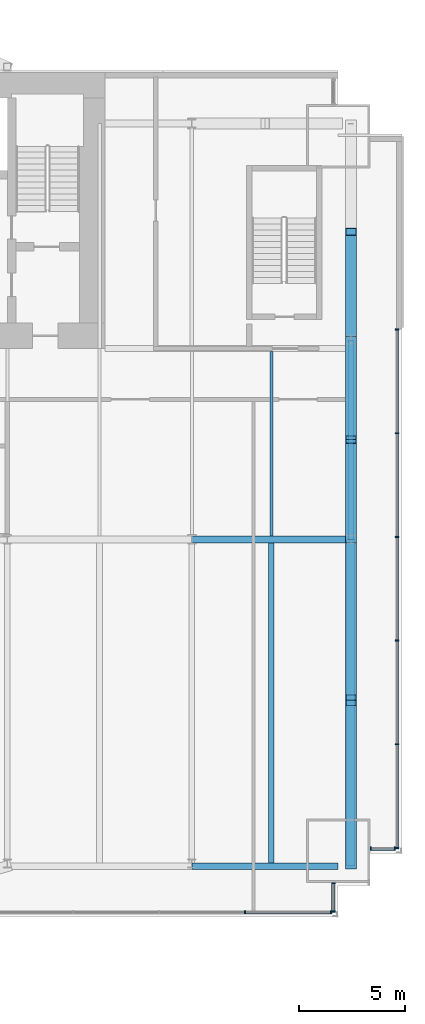
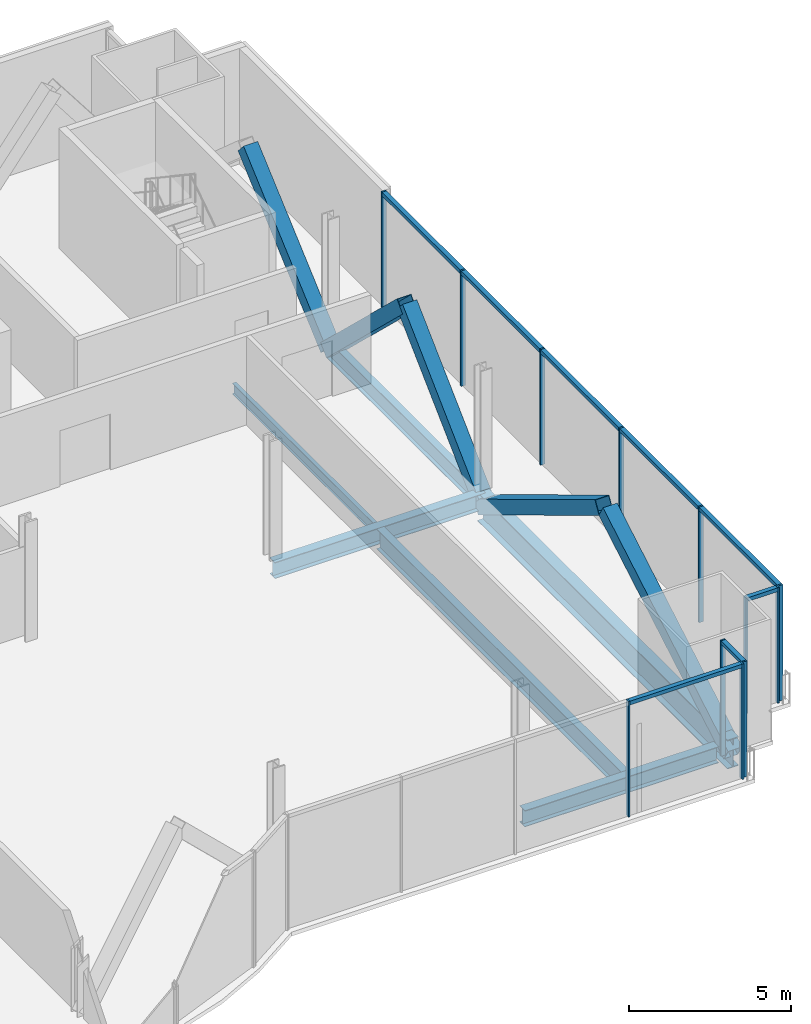
# One storey, part 12 of 21: 25 members, 6 beams, 4 elements without a shape of their own.
"""IFC4 building model written with IfcOpenShell, lengths in metres."""

from ifc_helpers import new_model, si_unit, direction, frame, origin, origin_2d, place, context, subcontext, project, spatial, rectangle, hollow_rectangle, i_section, extrude, material, material_profile, profile_set, type_object, element, aggregate, save


model = new_model("IFC4")

# Units and contexts
model_context = context("Model", 3, precision=1e-05, world=origin(), true_north=direction((0.0, 1.0)))
body_context = subcontext(model_context, "Body", "Model", "MODEL_VIEW")
ifc_project = project(units=[si_unit("LENGTHUNIT", "METRE"), si_unit("AREAUNIT", "SQUARE_METRE"), si_unit("VOLUMEUNIT", "CUBIC_METRE"), si_unit("PLANEANGLEUNIT", "RADIAN"), si_unit("MASSUNIT", "GRAM", prefix="KILO")], contexts=[model_context])

# Site, building, storey
site_placement = place(None, origin())
site = spatial("IfcSite", under=ifc_project, at=site_placement, CompositionType="ELEMENT")
building_placement = place(site_placement, origin())
building = spatial("IfcBuilding", under=site, at=building_placement, Name="Bicima Exchange Tower", CompositionType="ELEMENT")
storey_placement = place(building_placement, frame((0.0, 0.0, 75.5)))
storey = spatial("IfcBuildingStorey", under=building, at=storey_placement, Name="L15", CompositionType="ELEMENT", Elevation=75.5)

# Curtain wall, members
ifc_material_1 = material(Name="Anodised bronze aluminium", Category="aluminium")
curtain_wall_type_1 = type_object("IfcCurtainWallType", Name="End face glass wall", PredefinedType="NOTDEFINED", material=ifc_material_1)
curtain_wall_1_placement = place(storey_placement, origin())
curtain_wall_1 = element("IfcCurtainWall", 1, at=curtain_wall_1_placement, inside=storey, type_object=curtain_wall_type_1, Name="End face glass wall L15 run 19", PredefinedType="NOTDEFINED")
ifc_material_profile_1 = material_profile(ifc_material_1, rectangle(XDim=0.159912109375, YDim=0.06005859375, at=origin_2d()))
ifc_profile_set_1 = profile_set([ifc_material_profile_1], Name="Anodised bronze aluminium")
member_type_1 = type_object("IfcMemberType", Name="End face glass wall mullion 60 x 160", PredefinedType="MULLION", material=ifc_profile_set_1)
member_1_placement = place(storey_placement, frame((35.77001953125, -36.5439453125, 0.0), z_axis=(0.0, 0.0, 1.0), x_axis=(-1.0, 0.0, 0.0)))
member_1 = element("IfcMember", 2, at=member_1_placement, type_object=member_type_1, Name="End face glass wall mullion 1", PredefinedType="MULLION", context=body_context, shape_type="SweptSolid", body=[
    extrude(rectangle(XDim=0.159912109375, YDim=0.06005859375, at=origin_2d()), origin(), (0.0, 0.0, 1.0), 4.35009765625),
])
member_2_placement = place(storey_placement, frame((35.77001953125, -31.6572265625, 0.0), z_axis=(0.0, 0.0, 1.0), x_axis=(-1.0, 0.0, 0.0)))
member_2 = element("IfcMember", 3, at=member_2_placement, type_object=member_type_1, Name="End face glass wall mullion 2", PredefinedType="MULLION", context=body_context, shape_type="SweptSolid", body=[
    extrude(rectangle(XDim=0.159912109375, YDim=0.06005859375, at=origin_2d()), origin(), (0.0, 0.0, 1.0), 4.35009765625),
])
member_3_placement = place(storey_placement, frame((35.77001953125, -26.7705078125, 0.0), z_axis=(0.0, 0.0, 1.0), x_axis=(-1.0, 0.0, 0.0)))
member_3 = element("IfcMember", 4, at=member_3_placement, type_object=member_type_1, Name="End face glass wall mullion 3", PredefinedType="MULLION", context=body_context, shape_type="SweptSolid", body=[
    extrude(rectangle(XDim=0.159912109375, YDim=0.06005859375, at=origin_2d()), origin(), (0.0, 0.0, 1.0), 4.35009765625),
])
member_4_placement = place(storey_placement, frame((35.77001953125, -21.883544921875, 0.0), z_axis=(0.0, 0.0, 1.0), x_axis=(-1.0, 0.0, 0.0)))
member_4 = element("IfcMember", 5, at=member_4_placement, type_object=member_type_1, Name="End face glass wall mullion 4", PredefinedType="MULLION", context=body_context, shape_type="SweptSolid", body=[
    extrude(rectangle(XDim=0.159912109375, YDim=0.06005859375, at=origin_2d()), origin(), (0.0, 0.0, 1.0), 4.35009765625),
])
member_5_placement = place(storey_placement, frame((35.77001953125, -16.996826171875, 0.0), z_axis=(0.0, 0.0, 1.0), x_axis=(-1.0, 0.0, 0.0)))
member_5 = element("IfcMember", 6, at=member_5_placement, type_object=member_type_1, Name="End face glass wall mullion 5", PredefinedType="MULLION", context=body_context, shape_type="SweptSolid", body=[
    extrude(rectangle(XDim=0.159912109375, YDim=0.06005859375, at=origin_2d()), origin(), (0.0, 0.0, 1.0), 4.35009765625),
])
member_6_placement = place(storey_placement, frame((35.77001953125, -12.110107421875, 0.0), z_axis=(0.0, 0.0, 1.0), x_axis=(-1.0, 0.0, 0.0)))
member_6 = element("IfcMember", 7, at=member_6_placement, type_object=member_type_1, Name="End face glass wall mullion 6", PredefinedType="MULLION", context=body_context, shape_type="SweptSolid", body=[
    extrude(rectangle(XDim=0.159912109375, YDim=0.06005859375, at=origin_2d()), origin(), (0.0, 0.0, 1.0), 4.35009765625),
])
ifc_material_profile_2 = material_profile(ifc_material_1, rectangle(XDim=0.159912109375, YDim=0.139892578125, at=origin_2d()))
ifc_profile_set_2 = profile_set([ifc_material_profile_2], Name="Anodised bronze aluminium")
member_type_2 = type_object("IfcMemberType", Name="End face glass wall transom 140 x 160", PredefinedType="USERDEFINED", material=ifc_profile_set_2)
member_7_placement = place(storey_placement, frame((35.77001953125, -36.513916015625, 4.280029296875), z_axis=(0.0, 1.0, 0.0), x_axis=(-1.0, 0.0, 0.0)))
member_7 = element("IfcMember", 8, at=member_7_placement, type_object=member_type_2, Name="End face glass wall transom 1.1", ObjectType="TRANSOM", PredefinedType="USERDEFINED", context=body_context, shape_type="SweptSolid", body=[
    extrude(rectangle(XDim=0.159912109375, YDim=0.139892578125, at=origin_2d()), origin(), (0.0, 0.0, 1.0), 4.82666015625),
])
member_8_placement = place(storey_placement, frame((35.77001953125, -31.627197265625, 4.280029296875), z_axis=(0.0, 1.0, 0.0), x_axis=(-1.0, 0.0, 0.0)))
member_8 = element("IfcMember", 9, at=member_8_placement, type_object=member_type_2, Name="End face glass wall transom 2.1", ObjectType="TRANSOM", PredefinedType="USERDEFINED", context=body_context, shape_type="SweptSolid", body=[
    extrude(rectangle(XDim=0.159912109375, YDim=0.139892578125, at=origin_2d()), origin(), (0.0, 0.0, 1.0), 4.826904296875),
])
member_9_placement = place(storey_placement, frame((35.77001953125, -26.740478515625, 4.280029296875), z_axis=(0.0, 1.0, 0.0), x_axis=(-1.0, 0.0, 0.0)))
member_9 = element("IfcMember", 10, at=member_9_placement, type_object=member_type_2, Name="End face glass wall transom 3.1", ObjectType="TRANSOM", PredefinedType="USERDEFINED", context=body_context, shape_type="SweptSolid", body=[
    extrude(rectangle(XDim=0.159912109375, YDim=0.139892578125, at=origin_2d()), origin(), (0.0, 0.0, 1.0), 4.826904296875),
])
member_10_placement = place(storey_placement, frame((35.77001953125, -21.853515625, 4.280029296875), z_axis=(0.0, 1.0, 0.0), x_axis=(-1.0, 0.0, 0.0)))
member_10 = element("IfcMember", 11, at=member_10_placement, type_object=member_type_2, Name="End face glass wall transom 4.1", ObjectType="TRANSOM", PredefinedType="USERDEFINED", context=body_context, shape_type="SweptSolid", body=[
    extrude(rectangle(XDim=0.159912109375, YDim=0.139892578125, at=origin_2d()), origin(), (0.0, 0.0, 1.0), 4.82666015625),
])
member_11_placement = place(storey_placement, frame((35.77001953125, -16.966796875, 4.280029296875), z_axis=(0.0, 1.0, 0.0), x_axis=(-1.0, 0.0, 0.0)))
member_11 = element("IfcMember", 12, at=member_11_placement, type_object=member_type_2, Name="End face glass wall transom 5.1", ObjectType="TRANSOM", PredefinedType="USERDEFINED", context=body_context, shape_type="SweptSolid", body=[
    extrude(rectangle(XDim=0.159912109375, YDim=0.139892578125, at=origin_2d()), origin(), (0.0, 0.0, 1.0), 4.826904296875),
])
aggregate(curtain_wall_1, [member_1, member_2, member_3, member_4, member_5, member_6, member_7, member_8, member_9, member_10, member_11])

# Beams
ifc_material_2 = material(Name="Steel ASTM A992 Gr 50", Category="steel")
ifc_material_profile_3 = material_profile(ifc_material_2, i_section(OverallWidth=0.256591796875, OverallDepth=0.693359375, WebThickness=0.014404296875, FlangeThickness=0.023681640625, at=origin_2d()))
ifc_profile_set_3 = profile_set([ifc_material_profile_3], Name="Steel ASTM A992 Gr 50")
beam_type_1 = type_object("IfcBeamType", Name="End girder W27x114", PredefinedType="BEAM", material=ifc_profile_set_3)
beam_1_placement = place(storey_placement, frame((33.60009765625, -12.60009765625, -0.49658203125), z_axis=(0.0, -1.0, 0.0), x_axis=(1.0, 0.0, 0.0)))
element("IfcBeam", 13, at=beam_1_placement, inside=storey, type_object=beam_type_1, Name="End girder", PredefinedType="BEAM", context=body_context, shape_type="SweptSolid", body=[
    extrude(i_section(OverallWidth=0.256591796875, OverallDepth=0.693359375, WebThickness=0.014404296875, FlangeThickness=0.023681640625, at=origin_2d()), origin(), (0.0, 0.0, 1.0), 9.39990234375),
])
ifc_material_profile_4 = material_profile(ifc_material_2, i_section(OverallWidth=0.4013671875, OverallDepth=1.089599609375, WebThickness=0.01806640625, FlangeThickness=0.031005859375, at=origin_2d()))
ifc_profile_set_4 = profile_set([ifc_material_profile_4], Name="Steel ASTM A992 Gr 50")
beam_type_2 = type_object("IfcBeamType", Name="End girder W44x230", PredefinedType="BEAM", material=ifc_profile_set_4)
beam_2_placement = place(storey_placement, frame((33.60009765625, -22.0, -0.69482421875), z_axis=(0.0, -1.0, 0.0), x_axis=(1.0, 0.0, 0.0)))
element("IfcBeam", 14, at=beam_2_placement, inside=storey, type_object=beam_type_2, Name="End girder", PredefinedType="BEAM", context=body_context, shape_type="SweptSolid", body=[
    extrude(i_section(OverallWidth=0.4013671875, OverallDepth=1.089599609375, WebThickness=0.01806640625, FlangeThickness=0.031005859375, at=origin_2d()), origin(), (0.0, 0.0, 1.0), 15.404052734375),
])
ifc_material_profile_5 = material_profile(ifc_material_2, i_section(OverallWidth=0.140380859375, OverallDepth=0.40380859375, WebThickness=0.007080078125, FlangeThickness=0.01123046875, at=origin_2d()))
ifc_profile_set_5 = profile_set([ifc_material_profile_5], Name="Steel ASTM A992 Gr 50")
beam_type_3 = type_object("IfcBeamType", Name="Floor beam W16x31", PredefinedType="JOIST", material=ifc_profile_set_5)
beam_3_placement = place(storey_placement, frame((29.85009765625, -13.15234375, -0.351806640625), z_axis=(0.0, -1.0, 0.0), x_axis=(1.0, 0.0, 0.0)))
element("IfcBeam", 15, at=beam_3_placement, inside=storey, type_object=beam_type_3, Name="Floor beam", PredefinedType="JOIST", context=body_context, shape_type="SweptSolid", body=[
    extrude(i_section(OverallWidth=0.140380859375, OverallDepth=0.40380859375, WebThickness=0.007080078125, FlangeThickness=0.01123046875, at=origin_2d()), origin(), (0.0, 0.0, 1.0), 8.68505859375),
])
ifc_material_profile_6 = material_profile(ifc_material_2, i_section(OverallWidth=0.2666015625, OverallDepth=0.75439453125, WebThickness=0.01318359375, FlangeThickness=0.01708984375, at=origin_2d()))
ifc_profile_set_6 = profile_set([ifc_material_profile_6], Name="Steel ASTM A992 Gr 50")
beam_type_4 = type_object("IfcBeamType", Name="Floor beam W30x99", PredefinedType="JOIST", material=ifc_profile_set_6)
beam_4_placement = place(storey_placement, frame((29.85009765625, -22.16259765625, -0.527099609375), z_axis=(0.0, -1.0, 0.0), x_axis=(1.0, 0.0, 0.0)))
element("IfcBeam", 16, at=beam_4_placement, inside=storey, type_object=beam_type_4, Name="Floor beam", PredefinedType="JOIST", context=body_context, shape_type="SweptSolid", body=[
    extrude(i_section(OverallWidth=0.2666015625, OverallDepth=0.75439453125, WebThickness=0.01318359375, FlangeThickness=0.01708984375, at=origin_2d()), origin(), (0.0, 0.0, 1.0), 15.078857421875),
])
ifc_material_profile_7 = material_profile(ifc_material_2, i_section(OverallWidth=0.3251953125, OverallDepth=0.612060546875, WebThickness=0.0126953125, FlangeThickness=0.01904296875, at=origin_2d()))
ifc_profile_set_7 = profile_set([ifc_material_profile_7], Name="Steel ASTM A992 Gr 50")
beam_type_5 = type_object("IfcBeamType", Name="Front girder W24x104", PredefinedType="BEAM", material=ifc_profile_set_7)
beam_5_placement = place(storey_placement, frame((26.10009765625, -37.404052734375, -0.4560546875), z_axis=(1.0, 0.0, 0.0), x_axis=(0.0, 1.0, 0.0)))
element("IfcBeam", 17, at=beam_5_placement, inside=storey, type_object=beam_type_5, Name="Front girder", PredefinedType="BEAM", context=body_context, shape_type="SweptSolid", body=[
    extrude(i_section(OverallWidth=0.3251953125, OverallDepth=0.612060546875, WebThickness=0.0126953125, FlangeThickness=0.01904296875, at=origin_2d()), origin(), (0.0, 0.0, 1.0), 6.89990234375),
])

# Curtain wall, members
curtain_wall_type_2 = type_object("IfcCurtainWallType", Name="Front glass wall", PredefinedType="NOTDEFINED", material=ifc_material_1)
curtain_wall_2_placement = place(storey_placement, origin())
curtain_wall_2 = element("IfcCurtainWall", 18, at=curtain_wall_2_placement, inside=storey, type_object=curtain_wall_type_2, Name="Front glass wall L15 run 16", PredefinedType="NOTDEFINED")
member_type_3 = type_object("IfcMemberType", Name="Front glass wall mullion 60 x 160", PredefinedType="MULLION", material=ifc_profile_set_1)
member_12_placement = place(storey_placement, frame((28.610595703125, -39.573974609375, 0.0), z_axis=(0.0, 0.0, 1.0), x_axis=(0.0, 1.0, 0.0)))
member_12 = element("IfcMember", 19, at=member_12_placement, type_object=member_type_3, Name="Front glass wall mullion 4", PredefinedType="MULLION", context=body_context, shape_type="SweptSolid", body=[
    extrude(rectangle(XDim=0.159912109375, YDim=0.06005859375, at=origin_2d()), origin(), (0.0, 0.0, 1.0), 4.35009765625),
])
member_13_placement = place(storey_placement, frame((32.659912109375, -39.573974609375, 0.0), z_axis=(0.0, 0.0, 1.0), x_axis=(0.0, 1.0, 0.0)))
member_13 = element("IfcMember", 20, at=member_13_placement, type_object=member_type_3, Name="Front glass wall mullion 5", PredefinedType="MULLION", context=body_context, shape_type="SweptSolid", body=[
    extrude(rectangle(XDim=0.159912109375, YDim=0.06005859375, at=origin_2d()), origin(), (0.0, 0.0, 1.0), 4.35009765625),
])

curtain_wall_3_placement = place(storey_placement, origin())
curtain_wall_3 = element("IfcCurtainWall", 21, at=curtain_wall_3_placement, inside=storey, type_object=curtain_wall_type_2, Name="Front glass wall L15 run 17", PredefinedType="NOTDEFINED")
member_14_placement = place(storey_placement, frame((32.77001953125, -39.5439453125, 0.0), z_axis=(0.0, 0.0, 1.0), x_axis=(-1.0, 0.0, 0.0)))
member_14 = element("IfcMember", 22, at=member_14_placement, type_object=member_type_3, Name="Front glass wall mullion 1", PredefinedType="MULLION", context=body_context, shape_type="SweptSolid", body=[
    extrude(rectangle(XDim=0.159912109375, YDim=0.06005859375, at=origin_2d()), origin(), (0.0, 0.0, 1.0), 4.35009765625),
])
member_15_placement = place(storey_placement, frame((32.77001953125, -38.2119140625, 0.0), z_axis=(0.0, 0.0, 1.0), x_axis=(-1.0, 0.0, 0.0)))
member_15 = element("IfcMember", 23, at=member_15_placement, type_object=member_type_3, Name="Front glass wall mullion 2", PredefinedType="MULLION", context=body_context, shape_type="SweptSolid", body=[
    extrude(rectangle(XDim=0.159912109375, YDim=0.06005859375, at=origin_2d()), origin(), (0.0, 0.0, 1.0), 4.35009765625),
])

curtain_wall_4_placement = place(storey_placement, origin())
curtain_wall_4 = element("IfcCurtainWall", 24, at=curtain_wall_4_placement, inside=storey, type_object=curtain_wall_type_2, Name="Front glass wall L15 run 18", PredefinedType="NOTDEFINED")
member_16_placement = place(storey_placement, frame((34.530029296875, -36.573974609375, 0.0), z_axis=(0.0, 0.0, 1.0), x_axis=(0.0, 1.0, 0.0)))
member_16 = element("IfcMember", 25, at=member_16_placement, type_object=member_type_3, Name="Front glass wall mullion 1", PredefinedType="MULLION", context=body_context, shape_type="SweptSolid", body=[
    extrude(rectangle(XDim=0.159912109375, YDim=0.06005859375, at=origin_2d()), origin(), (0.0, 0.0, 1.0), 4.35009765625),
])
member_17_placement = place(storey_placement, frame((35.659912109375, -36.573974609375, 0.0), z_axis=(0.0, 0.0, 1.0), x_axis=(0.0, 1.0, 0.0)))
member_17 = element("IfcMember", 26, at=member_17_placement, type_object=member_type_3, Name="Front glass wall mullion 2", PredefinedType="MULLION", context=body_context, shape_type="SweptSolid", body=[
    extrude(rectangle(XDim=0.159912109375, YDim=0.06005859375, at=origin_2d()), origin(), (0.0, 0.0, 1.0), 4.35009765625),
])

# Member
member_type_4 = type_object("IfcMemberType", Name="Front glass wall transom 140 x 160", PredefinedType="USERDEFINED", material=ifc_profile_set_2)
member_18_placement = place(storey_placement, frame((28.640380859375, -39.573974609375, 4.280029296875), z_axis=(1.0, 0.0, 0.0), x_axis=(0.0, 1.0, 0.0)))
member_18 = element("IfcMember", 27, at=member_18_placement, type_object=member_type_4, Name="Front glass wall transom 4.1", ObjectType="TRANSOM", PredefinedType="USERDEFINED", context=body_context, shape_type="SweptSolid", body=[
    extrude(rectangle(XDim=0.159912109375, YDim=0.139892578125, at=origin_2d()), origin(), (0.0, 0.0, 1.0), 3.989501953125),
])

aggregate(curtain_wall_2, [member_12, member_13, member_18])

member_19_placement = place(storey_placement, frame((32.77001953125, -39.513916015625, 4.280029296875), z_axis=(0.0, 1.0, 0.0), x_axis=(-1.0, 0.0, 0.0)))
member_19 = element("IfcMember", 28, at=member_19_placement, type_object=member_type_4, Name="Front glass wall transom 1.1", ObjectType="TRANSOM", PredefinedType="USERDEFINED", context=body_context, shape_type="SweptSolid", body=[
    extrude(rectangle(XDim=0.159912109375, YDim=0.139892578125, at=origin_2d()), origin(), (0.0, 0.0, 1.0), 1.27197265625),
])

aggregate(curtain_wall_3, [member_14, member_15, member_19])

member_20_placement = place(storey_placement, frame((34.56005859375, -36.573974609375, 4.280029296875), z_axis=(1.0, 0.0, 0.0), x_axis=(0.0, 1.0, 0.0)))
member_20 = element("IfcMember", 29, at=member_20_placement, type_object=member_type_4, Name="Front glass wall transom 1.1", ObjectType="TRANSOM", PredefinedType="USERDEFINED", context=body_context, shape_type="SweptSolid", body=[
    extrude(rectangle(XDim=0.159912109375, YDim=0.139892578125, at=origin_2d()), origin(), (0.0, 0.0, 1.0), 1.06982421875),
])

aggregate(curtain_wall_4, [member_16, member_17, member_20])

# Members
ifc_material_3 = material(Name="Steel ASTM A572 Gr 50", Category="steel")
ifc_material_profile_8 = material_profile(ifc_material_3, hollow_rectangle(XDim=0.508056640625, YDim=0.508056640625, WallThickness=0.017822265625, at=origin_2d()))
ifc_profile_set_8 = profile_set([ifc_material_profile_8], Name="Steel ASTM A572 Gr 50")
member_type_5 = type_object("IfcMemberType", Name="Mega brace HSS20x20x3/4", PredefinedType="BRACE", material=ifc_profile_set_8)
member_21_placement = place(storey_placement, frame((33.60009765625, -12.60009765625, -0.49658203125), z_axis=(0.0, 0.749844140428, 0.661614513948), x_axis=(-1.0, 0.0, 0.0)))
element("IfcMember", 30, at=member_21_placement, inside=storey, type_object=member_type_5, Name="Mega brace east end", PredefinedType="BRACE", context=body_context, shape_type="SweptSolid", body=[
    extrude(hollow_rectangle(XDim=0.508056640625, YDim=0.508056640625, WallThickness=0.017822265625, at=origin_2d()), origin(), (0.0, 0.0, 1.0), 6.801513671875),
])
for number, where, z_axis, x_axis, name in (
    (31, (33.60009765625, -12.60009765625, -0.49658203125), (0.0, -0.722304421208, 0.691575247608), (1.0, 0.0, 0.0), "Mega brace east end"),
    (32, (33.60009765625, -22.0, -0.49658203125), (0.0, 0.722304421208, 0.691575247608), (-1.0, 0.0, 0.0), "Mega brace east end"),
):
    element("IfcMember", number, at=place(storey_placement, frame(where, z_axis=z_axis, x_axis=x_axis)), inside=storey, type_object=member_type_5, Name=name, PredefinedType="BRACE", context=body_context, shape_type="SweptSolid", body=[
        extrude(hollow_rectangle(XDim=0.508056640625, YDim=0.508056640625, WallThickness=0.017822265625, at=origin_2d()), origin(), (0.0, 0.0, 1.0), 6.5068359375),
    ])
member_22_placement = place(storey_placement, frame((33.60009765625, -22.0, -0.69482421875), z_axis=(0.0, -0.856214167593, 0.516621040234), x_axis=(1.0, 0.0, 0.0)))
element("IfcMember", 33, at=member_22_placement, inside=storey, type_object=member_type_5, Name="Mega brace east end", PredefinedType="BRACE", context=body_context, shape_type="SweptSolid", body=[
    extrude(hollow_rectangle(XDim=0.508056640625, YDim=0.508056640625, WallThickness=0.017822265625, at=origin_2d()), origin(), (0.0, 0.0, 1.0), 8.71044921875),
])
member_23_placement = place(storey_placement, frame((33.60009765625, -37.404052734375, -0.69482421875), z_axis=(0.0, 0.863433254491, 0.504463095815), x_axis=(-1.0, 0.0, 0.0)))
element("IfcMember", 34, at=member_23_placement, inside=storey, type_object=member_type_5, Name="Mega brace east end", PredefinedType="BRACE", context=body_context, shape_type="SweptSolid", body=[
    extrude(hollow_rectangle(XDim=0.508056640625, YDim=0.508056640625, WallThickness=0.017822265625, at=origin_2d()), origin(), (0.0, 0.0, 1.0), 8.92041015625),
])

# Beam
beam_type_6 = type_object("IfcBeamType", Name="Row girder W24x104", PredefinedType="BEAM", material=ifc_profile_set_7)
beam_6_placement = place(storey_placement, frame((26.10009765625, -22.0, -0.4560546875), z_axis=(1.0, 0.0, 0.0), x_axis=(0.0, 1.0, 0.0)))
element("IfcBeam", 35, at=beam_6_placement, inside=storey, type_object=beam_type_6, Name="Row girder", PredefinedType="BEAM", context=body_context, shape_type="SweptSolid", body=[
    extrude(i_section(OverallWidth=0.3251953125, OverallDepth=0.612060546875, WebThickness=0.0126953125, FlangeThickness=0.01904296875, at=origin_2d()), origin(), (0.0, 0.0, 1.0), 7.5),
])

save(model, "model.ifc")
